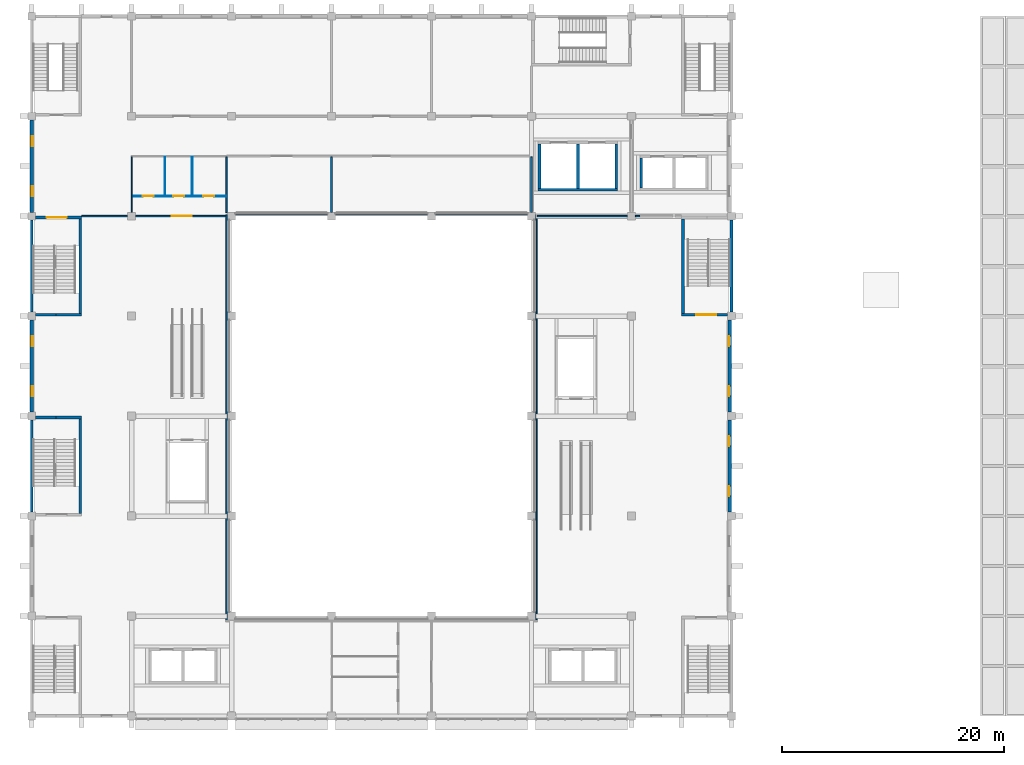
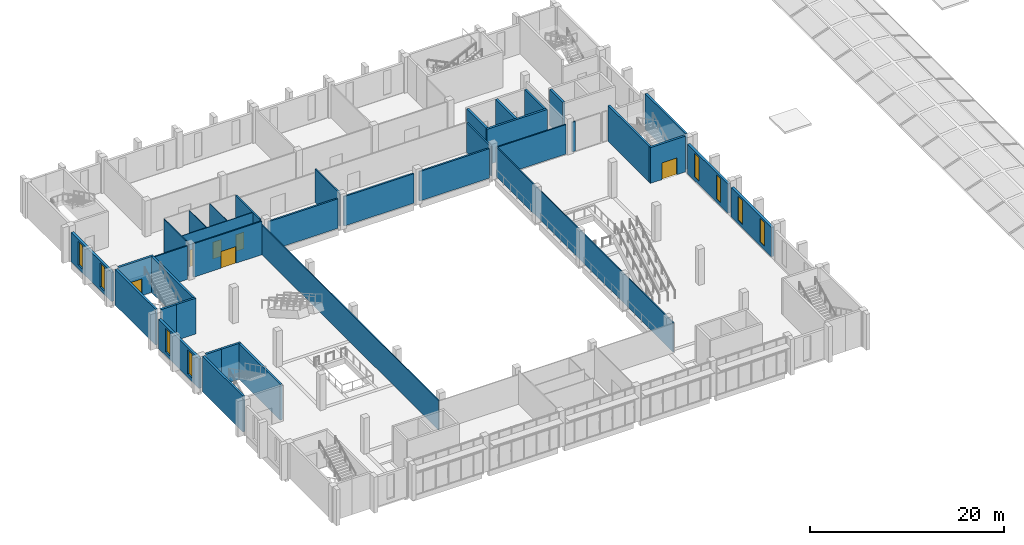
# One storey, part 28 of 45: 37 walls, 8 windows, 6 doors, 14 openings.
"""IFC4 building model written with IfcOpenShell, lengths in metres."""

import ifcopenshell
import ifcopenshell.guid

model = None  # the IFC model being written
_history = None  # IfcOwnerHistory: only IFC2X3 demands one
_inside = {}  # id of a spatial element -> (the spatial element, [elements in it])
_under = {}  # id of a project, library or spatial element -> (it, [spatial elements below it])
_declared = {}  # id of a project -> (the project, [libraries it declares])
_typed = {}  # id of a type object -> (the type object, [elements of that type])
_made_of = {}  # id of a material, layer set ... -> (it, [elements and type objects made of it])


def new_model(schema):
    """Start an empty IFC model of exactly this schema.

    Asked for "IFC4X3", IfcOpenShell would pick the latest addendum, in which some entities
    have other attributes; the version numbers below select the first issue.
    IFC2X3 requires an IfcOwnerHistory on every rooted entity: one is made here for all.
    """
    global model, _history
    if schema == "IFC4X3":
        model = ifcopenshell.file(schema_version=(4, 3, 0, 0))
    else:
        model = ifcopenshell.file(schema=schema)
    _inside.clear()
    _under.clear()
    _declared.clear()
    _typed.clear()
    _made_of.clear()
    _history = None
    if model.schema == "IFC2X3":
        org = make("IfcOrganization", Name="unknown")
        user = make(
            "IfcPersonAndOrganization",
            ThePerson=make("IfcPerson", FamilyName="unknown"),
            TheOrganization=org,
        )
        app = make(
            "IfcApplication",
            ApplicationDeveloper=org,
            Version="unknown",
            ApplicationFullName="unknown",
            ApplicationIdentifier="unknown",
        )
        _history = make(
            "IfcOwnerHistory",
            OwningUser=user,
            OwningApplication=app,
            ChangeAction="ADDED",
            CreationDate=0,
        )
    return model


def make(cls, **values):
    """One entity of the class cls with the attributes given. An attribute that is None is left unset."""
    return model.create_entity(
        cls, **{name: value for name, value in values.items() if value is not None}
    )


def rooted(cls, **values):
    """An entity with a GlobalId (a new one), such as an element, a storey or a relation."""
    return make(cls, GlobalId=ifcopenshell.guid.new(), OwnerHistory=_history, **values)


def si_unit(unit_type, name, prefix=None):
    """IfcSIUnit, for example si_unit("LENGTHUNIT", "METRE", prefix="MILLI")."""
    return make("IfcSIUnit", UnitType=unit_type, Prefix=prefix, Name=name)


def assignment(units):
    """IfcUnitAssignment: the units of a project."""
    return None if units is None else make("IfcUnitAssignment", Units=units)


def point(xyz):
    """IfcCartesianPoint."""
    return None if xyz is None else make("IfcCartesianPoint", Coordinates=xyz)


def direction(xyz):
    """IfcDirection."""
    return None if xyz is None else make("IfcDirection", DirectionRatios=xyz)


def frame(location, z_axis=None, x_axis=None):
    """IfcAxis2Placement3D, a coordinate frame: its origin and axes. An axis left out is left unset."""
    return make(
        "IfcAxis2Placement3D",
        Location=point(location),
        Axis=direction(z_axis),
        RefDirection=direction(x_axis),
    )


def frame_2d(location, x_axis=None):
    """IfcAxis2Placement2D, a coordinate frame in the plane: its origin and x axis."""
    return make(
        "IfcAxis2Placement2D", Location=point(location), RefDirection=direction(x_axis)
    )


def origin():
    """The frame at (0, 0, 0) with its axes left unset."""
    return frame((0.0, 0.0, 0.0))


def place(relative_to, where):
    """IfcLocalPlacement: puts the frame where relative to a parent placement (None: the world)."""
    return make(
        "IfcLocalPlacement", PlacementRelTo=relative_to, RelativePlacement=where
    )


def context(
    kind, dimensions, precision=None, world=None, true_north=None, identifier=None
):
    """IfcGeometricRepresentationContext, for example the 3D "Model" context."""
    return make(
        "IfcGeometricRepresentationContext",
        ContextIdentifier=identifier,
        ContextType=kind,
        CoordinateSpaceDimension=dimensions,
        Precision=precision,
        WorldCoordinateSystem=world,
        TrueNorth=true_north,
    )


def subcontext(parent, identifier, kind, view, scale=None):
    """IfcGeometricRepresentationSubContext, for example "Body" below "Model"."""
    return make(
        "IfcGeometricRepresentationSubContext",
        ContextIdentifier=identifier,
        ContextType=kind,
        ParentContext=parent,
        TargetScale=scale,
        TargetView=view,
    )


def project(units=None, contexts=None):
    """IfcProject with its units and contexts."""
    return rooted(
        "IfcProject",
        Name="project",
        RepresentationContexts=contexts,
        UnitsInContext=assignment(units),
    )


def spatial(cls, under=None, at=None, **own):
    """A site, building, storey or space (cls), placed at a placement, below another one or the project."""
    s = rooted(cls, ObjectPlacement=at, **own)
    if under is not None:
        _under.setdefault(under.id(), (under, []))[1].append(s)
    return s


def profile(cls, at=None, kind="AREA", **sizes):
    """A parametric profile (cls). Its sizes go by their IFC names, for example OverallWidth=200.0."""
    return make(cls, ProfileType=kind, Position=at, **sizes)


def rectangle(**sizes):
    """IfcRectangleProfileDef."""
    return profile("IfcRectangleProfileDef", **sizes)


def extrude(swept, where, along, depth):
    """IfcExtrudedAreaSolid: the profile swept, set in the frame where, extruded along a direction by depth."""
    return make(
        "IfcExtrudedAreaSolid",
        SweptArea=swept,
        Position=where,
        ExtrudedDirection=direction(along),
        Depth=depth,
    )


def shape(context_of_items, identifier, shape_type, items):
    """IfcShapeRepresentation: the items that make up one representation, for example the "Body"."""
    return make(
        "IfcShapeRepresentation",
        ContextOfItems=context_of_items,
        RepresentationIdentifier=identifier,
        RepresentationType=shape_type,
        Items=items,
    )


def material(Name=None, Category=None):
    """IfcMaterial."""
    return make("IfcMaterial", Name=Name, Category=Category)


def layer(
    of_material, thickness, ventilated=None, Name=None, Category=None, Priority=None
):
    """IfcMaterialLayer: one layer of a wall or slab, of a material (None: an air gap)."""
    return make(
        "IfcMaterialLayer",
        Material=of_material,
        LayerThickness=thickness,
        IsVentilated=ventilated,
        Name=Name,
        Category=Category,
        Priority=Priority,
    )


def layer_set(layers, Name=None):
    """IfcMaterialLayerSet."""
    return make("IfcMaterialLayerSet", MaterialLayers=layers, LayerSetName=Name)


def made_of(thing, what):
    """Note that an element or type object is made of a material, layer set ...; save() writes the relation."""
    if what is not None:
        _made_of.setdefault(what.id(), (what, []))[1].append(thing)
    return thing


def type_object(cls, material=None, **own):
    """A type object (cls), such as IfcWallType, which elements share."""
    return made_of(rooted(cls, **own), material)


def element(
    cls,
    number,
    at=None,
    inside=None,
    cuts=None,
    type_object=None,
    material=None,
    context=None,
    identifier="Body",
    shape_type=None,
    held_by="IfcProductDefinitionShape",
    body=None,
    shapes=None,
    **own,
):
    """One element of the class cls, such as IfcWall. Its Tag is "e" and its number.

    at: its placement. inside: the storey or other place that contains it. cuts: it is an
    opening in that element (IfcRelVoidsElement). A single representation is given by context,
    identifier, shape_type and body (its items); several are given by shapes. held_by: the class
    of the entity that holds the representations. save() writes the other relations.
    """
    e = rooted(cls, Tag="e%d" % number, ObjectPlacement=at, **own)
    if body is not None:
        shapes = [shape(context, identifier, shape_type, body)]
    if shapes is not None:
        e.Representation = make(held_by, Representations=shapes)
    if inside is not None:
        _inside.setdefault(inside.id(), (inside, []))[1].append(e)
    if cuts is not None:
        rooted(
            "IfcRelVoidsElement", RelatingBuildingElement=cuts, RelatedOpeningElement=e
        )
    if type_object is not None:
        _typed.setdefault(type_object.id(), (type_object, []))[1].append(e)
    return made_of(e, material)


def fill(opening, filler):
    """IfcRelFillsElement: the door or window that sits in an opening."""
    return rooted(
        "IfcRelFillsElement",
        RelatingOpeningElement=opening,
        RelatedBuildingElement=filler,
    )


def aggregate(whole, parts):
    """IfcRelAggregates: a whole, such as a stair, and the parts it consists of."""
    return rooted("IfcRelAggregates", RelatingObject=whole, RelatedObjects=parts)


def save(model, path):
    """Write the relations noted so far, then the file.

    IfcRelAggregates (storeys below a building ...), IfcRelContainedInSpatialStructure (elements
    in a storey), IfcRelDefinesByType, IfcRelAssociatesMaterial and IfcRelDeclares: one each for
    every whole, place, type object, material and project.
    """
    for whole, parts in _under.values():
        aggregate(whole, parts)
    for where, things in _inside.values():
        rooted(
            "IfcRelContainedInSpatialStructure",
            RelatedElements=things,
            RelatingStructure=where,
        )
    for kind, things in _typed.values():
        rooted("IfcRelDefinesByType", RelatedObjects=things, RelatingType=kind)
    for what, things in _made_of.values():
        rooted("IfcRelAssociatesMaterial", RelatedObjects=things, RelatingMaterial=what)
    for by, libraries in _declared.values():
        rooted("IfcRelDeclares", RelatingContext=by, RelatedDefinitions=libraries)
    model.write(path)


model = new_model("IFC4")

# Units and contexts
model_context = context("Model", 3, precision=1e-05, world=origin(), true_north=direction((0.0, 1.0)))
body_context = subcontext(model_context, "Body", "Model", "MODEL_VIEW")
ifc_project = project(units=[si_unit("LENGTHUNIT", "METRE"), si_unit("AREAUNIT", "SQUARE_METRE"), si_unit("VOLUMEUNIT", "CUBIC_METRE"), si_unit("PLANEANGLEUNIT", "RADIAN"), si_unit("MASSUNIT", "GRAM", prefix="KILO")], contexts=[model_context])

# Site, building, storey
site_placement = place(None, origin())
site = spatial("IfcSite", under=ifc_project, at=site_placement, CompositionType="ELEMENT")
building_placement = place(site_placement, origin())
building = spatial("IfcBuilding", under=site, at=building_placement, Name="Guidao Yard Department Store", CompositionType="ELEMENT")
storey_placement = place(building_placement, frame((0.0, 0.0, 19.5)))
storey = spatial("IfcBuildingStorey", under=building, at=storey_placement, Name="L04", CompositionType="ELEMENT", Elevation=19.5)

# Wall, openings, doors
ifc_material_1 = material(Name="Moisture-resistant board on Steel Q235 studs", Category="steel")
ifc_layer_1 = layer(ifc_material_1, 0.080078125)
ifc_layer_set_1 = layer_set([ifc_layer_1], Name="Cubicle and Duct Partition P8 80 mm moisture-resistant board")
wall_type_1 = type_object("IfcWallType", Name="Cubicle and Duct Partition P8 80 mm moisture-resistant board", PredefinedType="PARTITIONING", material=ifc_layer_set_1)
wall_1_placement = place(storey_placement, frame((9.050048828125, 91.800048828125, 0.0), z_axis=(0.0, 0.0, 1.0), x_axis=(1.0, 0.0, 0.0)))
wall_1 = element("IfcWall", 1, at=wall_1_placement, inside=storey, type_object=wall_type_1, Name="Wall W-HL04-023", PredefinedType="PARTITIONING", context=body_context, shape_type="SweptSolid", body=[
    extrude(rectangle(XDim=8.425048828125, YDim=0.080078125, at=frame_2d((4.21240234375, 0.0))), origin(), (0.0, 0.0, 1.0), 4.199951171875),
])
opening_1_placement = place(wall_1_placement, frame((0.949951171875, 0.0, 0.0)))
opening_1 = element("IfcOpeningElement", 2, at=opening_1_placement, cuts=wall_1, Name="Opening HL04-006", PredefinedType="OPENING", context=body_context, shape_type="SweptSolid", body=[
    extrude(rectangle(XDim=1.0, YDim=2.10009765625, at=frame_2d((0.5, 1.050048828125))), frame((0.0, 0.050048828125, 0.0), z_axis=(0.0, -1.0, 0.0), x_axis=(1.0, 0.0, 0.0)), (0.0, 0.0, 1.0), 0.10009765625),
])
opening_2_placement = place(wall_1_placement, frame((3.675048828125, 0.0, 0.0)))
opening_2 = element("IfcOpeningElement", 3, at=opening_2_placement, cuts=wall_1, Name="Opening HL04-007", PredefinedType="OPENING", context=body_context, shape_type="SweptSolid", body=[
    extrude(rectangle(XDim=1.0, YDim=2.10009765625, at=frame_2d((0.5, 1.050048828125))), frame((0.0, 0.050048828125, 0.0), z_axis=(0.0, -1.0, 0.0), x_axis=(1.0, 0.0, 0.0)), (0.0, 0.0, 1.0), 0.10009765625),
])
opening_3_placement = place(wall_1_placement, frame((6.39990234375, 0.0, 0.0)))
opening_3 = element("IfcOpeningElement", 4, at=opening_3_placement, cuts=wall_1, Name="Opening HL04-008", PredefinedType="OPENING", context=body_context, shape_type="SweptSolid", body=[
    extrude(rectangle(XDim=1.0, YDim=2.10009765625, at=frame_2d((0.5, 1.050048828125))), frame((0.0, 0.050048828125, 0.0), z_axis=(0.0, -1.0, 0.0), x_axis=(1.0, 0.0, 0.0)), (0.0, 0.0, 1.0), 0.10009765625),
])
ifc_material_2 = material(Name="Timber door leaf", Category="wood")
door_type_1 = type_object("IfcDoorType", Name="Door AD10 accessible WC 1000 x 2100", OperationType="SINGLE_SWING_LEFT", PredefinedType="DOOR", material=ifc_material_2)
door_1_placement = place(opening_2_placement, origin())
door_1 = element("IfcDoor", 5, at=door_1_placement, inside=storey, type_object=door_type_1, Name="Door HL04-007", OperationType="SINGLE_SWING_LEFT", OverallHeight=2.10009765625, OverallWidth=1.0, PredefinedType="DOOR", context=body_context, shape_type="SweptSolid", body=[
    extrude(rectangle(XDim=1.0, YDim=2.10009765625, at=frame_2d((0.5, 1.050048828125))), frame((0.0, 0.02490234375, 0.0), z_axis=(0.0, -1.0, 0.0), x_axis=(1.0, 0.0, 0.0)), (0.0, 0.0, 1.0), 0.050048828125),
])
fill(opening_2, door_1)
ifc_material_3 = material(Name="Timber door leaf", Category="wood")
door_type_2 = type_object("IfcDoorType", Name="Door D2 1000 x 2100", OperationType="SINGLE_SWING_LEFT", PredefinedType="DOOR", material=ifc_material_3)
door_2_placement = place(opening_1_placement, origin())
door_2 = element("IfcDoor", 6, at=door_2_placement, inside=storey, type_object=door_type_2, Name="Door HL04-006", OperationType="SINGLE_SWING_LEFT", OverallHeight=2.10009765625, OverallWidth=1.0, PredefinedType="DOOR", context=body_context, shape_type="SweptSolid", body=[
    extrude(rectangle(XDim=1.0, YDim=2.10009765625, at=frame_2d((0.5, 1.050048828125))), frame((0.0, 0.02490234375, 0.0), z_axis=(0.0, -1.0, 0.0), x_axis=(1.0, 0.0, 0.0)), (0.0, 0.0, 1.0), 0.050048828125),
])
fill(opening_1, door_2)
door_3_placement = place(opening_3_placement, origin())
door_3 = element("IfcDoor", 7, at=door_3_placement, inside=storey, type_object=door_type_2, Name="Door HL04-008", OperationType="SINGLE_SWING_RIGHT", OverallHeight=2.10009765625, OverallWidth=1.0, PredefinedType="DOOR", context=body_context, shape_type="SweptSolid", body=[
    extrude(rectangle(XDim=1.0, YDim=2.10009765625, at=frame_2d((0.5, 1.050048828125))), frame((0.0, 0.02490234375, 0.0), z_axis=(0.0, -1.0, 0.0), x_axis=(1.0, 0.0, 0.0)), (0.0, 0.0, 1.0), 0.050048828125),
])
fill(opening_3, door_3)

# Walls
for number, where, z_axis, x_axis, name in (
    (8, (12.0, 91.840087890625, 0.0), (0.0, 0.0, 1.0), (0.0, 1.0, 0.0), "Wall W-HL04-024"),
    (9, (14.449951171875, 91.840087890625, 0.0), (0.0, 0.0, 1.0), (0.0, 1.0, 0.0), "Wall W-HL04-025"),
):
    element("IfcWall", number, at=place(storey_placement, frame(where, z_axis=z_axis, x_axis=x_axis)), inside=storey, type_object=wall_type_1, Name=name, PredefinedType="PARTITIONING", context=body_context, shape_type="SweptSolid", body=[
        extrude(rectangle(XDim=3.510009765625, YDim=0.080078125, at=frame_2d((1.7548828125, 0.0))), origin(), (0.0, 0.0, 1.0), 4.199951171875),
    ])
ifc_material_4 = material(Name="Concrete block MU10", Category="concrete")
ifc_layer_2 = layer(ifc_material_4, 0.199951171875)
ifc_layer_set_2 = layer_set([ifc_layer_2], Name="Fire Wall P3 200 mm blockwork EI 120")
wall_type_2 = type_object("IfcWallType", Name="Fire Wall P3 200 mm blockwork EI 120", PredefinedType="PARTITIONING", material=ifc_layer_set_2)
for number, where, z_axis, x_axis, name in (
    (10, (18.35009765625, 90.22509765625, 0.0), (0.0, 0.0, 1.0), (1.0, 0.0, 0.0), "Wall W-HL04-015"),
    (11, (27.35009765625, 90.22509765625, 0.0), (0.0, 0.0, 1.0), (1.0, 0.0, 0.0), "Wall W-HL04-016"),
    (12, (36.35009765625, 90.22509765625, 0.0), (0.0, 0.0, 1.0), (1.0, 0.0, 0.0), "Wall W-HL04-017"),
):
    element("IfcWall", number, at=place(storey_placement, frame(where, z_axis=z_axis, x_axis=x_axis)), inside=storey, type_object=wall_type_2, Name=name, PredefinedType="PARTITIONING", context=body_context, shape_type="SweptSolid", body=[
        extrude(rectangle(XDim=8.2998046875, YDim=0.199951171875, at=frame_2d((4.14990234375, 0.0))), origin(), (0.0, 0.0, 1.0), 3.699951171875),
    ])
ifc_material_5 = material(Name="Fire-rated glazing in Steel Q235 frame", Category="steel")
ifc_layer_3 = layer(ifc_material_5, 0.1201171875)
ifc_layer_set_3 = layer_set([ifc_layer_3], Name="Fire-Glazed Screen P5 120 mm EI 60")
wall_type_3 = type_object("IfcWallType", Name="Fire-Glazed Screen P5 120 mm EI 60", PredefinedType="PARTITIONING", material=ifc_layer_set_3)
for number, where, z_axis, x_axis, name in (
    (13, (17.550048828125, 53.610107421875, 0.0), (0.0, 0.0, 1.0), (0.0, 1.0, 0.0), "Wall W-HL04-007"),
    (14, (45.449951171875, 53.610107421875, 0.0), (0.0, 0.0, 1.0), (0.0, 1.0, 0.0), "Wall W-HL04-008"),
):
    element("IfcWall", number, at=place(storey_placement, frame(where, z_axis=z_axis, x_axis=x_axis)), inside=storey, type_object=wall_type_3, Name=name, PredefinedType="PARTITIONING", context=body_context, shape_type="SweptSolid", body=[
        extrude(rectangle(XDim=36.514892578125, YDim=0.1201171875, at=frame_2d((18.25732421875, 0.0))), origin(), (0.0, 0.0, 1.0), 3.699951171875),
    ])

# Wall, openings, windows
ifc_material_6 = material(Name="Concrete C35", Category="concrete")
ifc_layer_4 = layer(ifc_material_6, 0.300048828125)
ifc_layer_set_4 = layer_set([ifc_layer_4], Name="Hall facade wall 300 C35")
wall_type_4 = type_object("IfcWallType", Name="Hall facade wall 300 C35", PredefinedType="SOLIDWALL", material=ifc_layer_set_4)
wall_2_placement = place(storey_placement, frame((0.0, 72.35009765625, 0.0), z_axis=(0.0, 0.0, 1.0), x_axis=(0.0, 1.0, 0.0)))
wall_2 = element("IfcWall", 15, at=wall_2_placement, inside=storey, type_object=wall_type_4, Name="Hall facade wall", PredefinedType="SOLIDWALL", context=body_context, shape_type="SweptSolid", body=[
    extrude(rectangle(XDim=8.2998046875, YDim=0.300048828125, at=frame_2d((4.14990234375, 0.0))), origin(), (0.0, 0.0, 1.0), 3.699951171875),
])
opening_4_placement = place(wall_2_placement, frame((1.449951171875, 0.0, 0.449951171875)))
opening_4 = element("IfcOpeningElement", 16, at=opening_4_placement, cuts=wall_2, Name="Opening WN-L04-E05", PredefinedType="OPENING", context=body_context, shape_type="SweptSolid", body=[
    extrude(rectangle(XDim=0.89990234375, YDim=3.0, at=frame_2d((0.449951171875, 1.5))), frame((0.0, 0.159912109375, 0.0), z_axis=(0.0, -1.0, 0.0), x_axis=(1.0, 0.0, 0.0)), (0.0, 0.0, 1.0), 0.320068359375),
])
opening_5_placement = place(wall_2_placement, frame((5.949951171875, 0.0, 0.449951171875)))
opening_5 = element("IfcOpeningElement", 17, at=opening_5_placement, cuts=wall_2, Name="Opening WN-L04-E06", PredefinedType="OPENING", context=body_context, shape_type="SweptSolid", body=[
    extrude(rectangle(XDim=0.89990234375, YDim=3.0, at=frame_2d((0.449951171875, 1.5))), frame((0.0, 0.159912109375, 0.0), z_axis=(0.0, -1.0, 0.0), x_axis=(1.0, 0.0, 0.0)), (0.0, 0.0, 1.0), 0.320068359375),
])
ifc_material_7 = material(Name="Laminated glass in aluminium frame", Category="aluminium")
window_type = type_object("IfcWindowType", Name="Slot window SL1 900 x 3000 fixed", PartitioningType="SINGLE_PANEL", PredefinedType="WINDOW", material=ifc_material_7)
window_1_placement = place(opening_4_placement, origin())
window_1 = element("IfcWindow", 18, at=window_1_placement, inside=storey, type_object=window_type, Name="Slot window", OverallHeight=3.0, OverallWidth=0.89990234375, PartitioningType="SINGLE_PANEL", PredefinedType="WINDOW", context=body_context, shape_type="SweptSolid", body=[
    extrude(rectangle(XDim=0.89990234375, YDim=3.0, at=frame_2d((0.449951171875, 1.5))), frame((0.0, -0.030029296875, 0.0), z_axis=(0.0, -1.0, 0.0), x_axis=(1.0, 0.0, 0.0)), (0.0, 0.0, 1.0), 0.06005859375),
])
fill(opening_4, window_1)
window_2_placement = place(opening_5_placement, origin())
window_2 = element("IfcWindow", 19, at=window_2_placement, inside=storey, type_object=window_type, Name="Slot window", OverallHeight=3.0, OverallWidth=0.89990234375, PartitioningType="SINGLE_PANEL", PredefinedType="WINDOW", context=body_context, shape_type="SweptSolid", body=[
    extrude(rectangle(XDim=0.89990234375, YDim=3.0, at=frame_2d((0.449951171875, 1.5))), frame((0.0, -0.030029296875, 0.0), z_axis=(0.0, -1.0, 0.0), x_axis=(1.0, 0.0, 0.0)), (0.0, 0.0, 1.0), 0.06005859375),
])
fill(opening_5, window_2)

wall_3_placement = place(storey_placement, frame((0.0, 90.35009765625, 0.0), z_axis=(0.0, 0.0, 1.0), x_axis=(0.0, 1.0, 0.0)))
wall_3 = element("IfcWall", 20, at=wall_3_placement, inside=storey, type_object=wall_type_4, Name="Hall facade wall", PredefinedType="SOLIDWALL", context=body_context, shape_type="SweptSolid", body=[
    extrude(rectangle(XDim=8.2998046875, YDim=0.300048828125, at=frame_2d((4.14990234375, 0.0))), origin(), (0.0, 0.0, 1.0), 3.699951171875),
])
opening_6_placement = place(wall_3_placement, frame((1.449951171875, 0.0, 0.449951171875)))
opening_6 = element("IfcOpeningElement", 21, at=opening_6_placement, cuts=wall_3, Name="Opening WN-L04-E07", PredefinedType="OPENING", context=body_context, shape_type="SweptSolid", body=[
    extrude(rectangle(XDim=0.89990234375, YDim=3.0, at=frame_2d((0.449951171875, 1.5))), frame((0.0, 0.159912109375, 0.0), z_axis=(0.0, -1.0, 0.0), x_axis=(1.0, 0.0, 0.0)), (0.0, 0.0, 1.0), 0.320068359375),
])
opening_7_placement = place(wall_3_placement, frame((5.949951171875, 0.0, 0.449951171875)))
opening_7 = element("IfcOpeningElement", 22, at=opening_7_placement, cuts=wall_3, Name="Opening WN-L04-E08", PredefinedType="OPENING", context=body_context, shape_type="SweptSolid", body=[
    extrude(rectangle(XDim=0.89990234375, YDim=3.0, at=frame_2d((0.449951171875, 1.5))), frame((0.0, 0.159912109375, 0.0), z_axis=(0.0, -1.0, 0.0), x_axis=(1.0, 0.0, 0.0)), (0.0, 0.0, 1.0), 0.320068359375),
])
window_3_placement = place(opening_6_placement, origin())
window_3 = element("IfcWindow", 23, at=window_3_placement, inside=storey, type_object=window_type, Name="Slot window", OverallHeight=3.0, OverallWidth=0.89990234375, PartitioningType="SINGLE_PANEL", PredefinedType="WINDOW", context=body_context, shape_type="SweptSolid", body=[
    extrude(rectangle(XDim=0.89990234375, YDim=3.0, at=frame_2d((0.449951171875, 1.5))), frame((0.0, -0.030029296875, 0.0), z_axis=(0.0, -1.0, 0.0), x_axis=(1.0, 0.0, 0.0)), (0.0, 0.0, 1.0), 0.06005859375),
])
fill(opening_6, window_3)
window_4_placement = place(opening_7_placement, origin())
window_4 = element("IfcWindow", 24, at=window_4_placement, inside=storey, type_object=window_type, Name="Slot window", OverallHeight=3.0, OverallWidth=0.89990234375, PartitioningType="SINGLE_PANEL", PredefinedType="WINDOW", context=body_context, shape_type="SweptSolid", body=[
    extrude(rectangle(XDim=0.89990234375, YDim=3.0, at=frame_2d((0.449951171875, 1.5))), frame((0.0, -0.030029296875, 0.0), z_axis=(0.0, -1.0, 0.0), x_axis=(1.0, 0.0, 0.0)), (0.0, 0.0, 1.0), 0.06005859375),
])
fill(opening_7, window_4)

wall_4_placement = place(storey_placement, frame((62.85009765625, 71.64990234375, 0.0), z_axis=(0.0, 0.0, 1.0), x_axis=(0.0, -1.0, 0.0)))
wall_4 = element("IfcWall", 25, at=wall_4_placement, inside=storey, type_object=wall_type_4, Name="Hall facade wall", PredefinedType="SOLIDWALL", context=body_context, shape_type="SweptSolid", body=[
    extrude(rectangle(XDim=8.2998046875, YDim=0.300048828125, at=frame_2d((4.14990234375, 0.0))), origin(), (0.0, 0.0, 1.0), 3.699951171875),
])
opening_8_placement = place(wall_4_placement, frame((5.949951171875, 0.0, 0.449951171875)))
opening_8 = element("IfcOpeningElement", 26, at=opening_8_placement, cuts=wall_4, Name="Opening WN-L04-E21", PredefinedType="OPENING", context=body_context, shape_type="SweptSolid", body=[
    extrude(rectangle(XDim=0.89990234375, YDim=3.0, at=frame_2d((0.449951171875, 1.5))), frame((0.0, 0.159912109375, 0.0), z_axis=(0.0, -1.0, 0.0), x_axis=(1.0, 0.0, 0.0)), (0.0, 0.0, 1.0), 0.320068359375),
])
opening_9_placement = place(wall_4_placement, frame((1.449951171875, 0.0, 0.449951171875)))
opening_9 = element("IfcOpeningElement", 27, at=opening_9_placement, cuts=wall_4, Name="Opening WN-L04-E22", PredefinedType="OPENING", context=body_context, shape_type="SweptSolid", body=[
    extrude(rectangle(XDim=0.89990234375, YDim=3.0, at=frame_2d((0.449951171875, 1.5))), frame((0.0, 0.159912109375, 0.0), z_axis=(0.0, -1.0, 0.0), x_axis=(1.0, 0.0, 0.0)), (0.0, 0.0, 1.0), 0.320068359375),
])
window_5_placement = place(opening_8_placement, origin())
window_5 = element("IfcWindow", 28, at=window_5_placement, inside=storey, type_object=window_type, Name="Slot window", OverallHeight=3.0, OverallWidth=0.89990234375, PartitioningType="SINGLE_PANEL", PredefinedType="WINDOW", context=body_context, shape_type="SweptSolid", body=[
    extrude(rectangle(XDim=0.89990234375, YDim=3.0, at=frame_2d((0.449951171875, 1.5))), frame((0.0, -0.030029296875, 0.0), z_axis=(0.0, -1.0, 0.0), x_axis=(1.0, 0.0, 0.0)), (0.0, 0.0, 1.0), 0.06005859375),
])
fill(opening_8, window_5)
window_6_placement = place(opening_9_placement, origin())
window_6 = element("IfcWindow", 29, at=window_6_placement, inside=storey, type_object=window_type, Name="Slot window", OverallHeight=3.0, OverallWidth=0.89990234375, PartitioningType="SINGLE_PANEL", PredefinedType="WINDOW", context=body_context, shape_type="SweptSolid", body=[
    extrude(rectangle(XDim=0.89990234375, YDim=3.0, at=frame_2d((0.449951171875, 1.5))), frame((0.0, -0.030029296875, 0.0), z_axis=(0.0, -1.0, 0.0), x_axis=(1.0, 0.0, 0.0)), (0.0, 0.0, 1.0), 0.06005859375),
])
fill(opening_9, window_6)

wall_5_placement = place(storey_placement, frame((62.85009765625, 80.64990234375, 0.0), z_axis=(0.0, 0.0, 1.0), x_axis=(0.0, -1.0, 0.0)))
wall_5 = element("IfcWall", 30, at=wall_5_placement, inside=storey, type_object=wall_type_4, Name="Hall facade wall", PredefinedType="SOLIDWALL", context=body_context, shape_type="SweptSolid", body=[
    extrude(rectangle(XDim=8.2998046875, YDim=0.300048828125, at=frame_2d((4.14990234375, 0.0))), origin(), (0.0, 0.0, 1.0), 3.699951171875),
])
opening_10_placement = place(wall_5_placement, frame((5.949951171875, 0.0, 0.449951171875)))
opening_10 = element("IfcOpeningElement", 31, at=opening_10_placement, cuts=wall_5, Name="Opening WN-L04-E23", PredefinedType="OPENING", context=body_context, shape_type="SweptSolid", body=[
    extrude(rectangle(XDim=0.89990234375, YDim=3.0, at=frame_2d((0.449951171875, 1.5))), frame((0.0, 0.159912109375, 0.0), z_axis=(0.0, -1.0, 0.0), x_axis=(1.0, 0.0, 0.0)), (0.0, 0.0, 1.0), 0.320068359375),
])
opening_11_placement = place(wall_5_placement, frame((1.449951171875, 0.0, 0.449951171875)))
opening_11 = element("IfcOpeningElement", 32, at=opening_11_placement, cuts=wall_5, Name="Opening WN-L04-E24", PredefinedType="OPENING", context=body_context, shape_type="SweptSolid", body=[
    extrude(rectangle(XDim=0.89990234375, YDim=3.0, at=frame_2d((0.449951171875, 1.5))), frame((0.0, 0.159912109375, 0.0), z_axis=(0.0, -1.0, 0.0), x_axis=(1.0, 0.0, 0.0)), (0.0, 0.0, 1.0), 0.320068359375),
])
window_7_placement = place(opening_10_placement, origin())
window_7 = element("IfcWindow", 33, at=window_7_placement, inside=storey, type_object=window_type, Name="Slot window", OverallHeight=3.0, OverallWidth=0.89990234375, PartitioningType="SINGLE_PANEL", PredefinedType="WINDOW", context=body_context, shape_type="SweptSolid", body=[
    extrude(rectangle(XDim=0.89990234375, YDim=3.0, at=frame_2d((0.449951171875, 1.5))), frame((0.0, -0.030029296875, 0.0), z_axis=(0.0, -1.0, 0.0), x_axis=(1.0, 0.0, 0.0)), (0.0, 0.0, 1.0), 0.06005859375),
])
fill(opening_10, window_7)
window_8_placement = place(opening_11_placement, origin())
window_8 = element("IfcWindow", 34, at=window_8_placement, inside=storey, type_object=window_type, Name="Slot window", OverallHeight=3.0, OverallWidth=0.89990234375, PartitioningType="SINGLE_PANEL", PredefinedType="WINDOW", context=body_context, shape_type="SweptSolid", body=[
    extrude(rectangle(XDim=0.89990234375, YDim=3.0, at=frame_2d((0.449951171875, 1.5))), frame((0.0, -0.030029296875, 0.0), z_axis=(0.0, -1.0, 0.0), x_axis=(1.0, 0.0, 0.0)), (0.0, 0.0, 1.0), 0.06005859375),
])
fill(opening_11, window_8)

# Walls
ifc_material_8 = material(Name="Gypsum board on Steel Q235 studs", Category="steel")
ifc_layer_5 = layer(ifc_material_8, 0.10009765625)
ifc_layer_set_5 = layer_set([ifc_layer_5], Name="Partition P1 100 mm gypsum board EI 30")
wall_type_5 = type_object("IfcWallType", Name="Partition P1 100 mm gypsum board EI 30", PredefinedType="PARTITIONING", material=ifc_layer_set_5)
wall_6_placement = place(storey_placement, frame((9.0, 90.35009765625, 0.0), z_axis=(0.0, 0.0, 1.0), x_axis=(0.0, 1.0, 0.0)))
element("IfcWall", 35, at=wall_6_placement, inside=storey, type_object=wall_type_5, Name="Wall W-HL04-019", PredefinedType="PARTITIONING", context=body_context, shape_type="SweptSolid", body=[
    extrude(rectangle(XDim=5.0, YDim=0.10009765625, at=frame_2d((2.5, 0.0))), origin(), (0.0, 0.0, 1.0), 4.199951171875),
])
ifc_material_9 = material(Name="Concrete block MU10", Category="concrete")
ifc_layer_6 = layer(ifc_material_9, 0.14990234375)
ifc_layer_set_6 = layer_set([ifc_layer_6], Name="Wall P2 150 mm blockwork EI 60")
wall_type_6 = type_object("IfcWallType", Name="Wall P2 150 mm blockwork EI 60", PredefinedType="PARTITIONING", material=ifc_layer_set_6)
wall_7_placement = place(storey_placement, frame((4.5, 90.0, 0.0), z_axis=(0.0, 0.0, 1.0), x_axis=(1.0, 0.0, 0.0)))
element("IfcWall", 36, at=wall_7_placement, inside=storey, type_object=wall_type_6, Name="Wall W-HL04-009", PredefinedType="PARTITIONING", context=body_context, shape_type="SweptSolid", body=[
    extrude(rectangle(XDim=4.14990234375, YDim=0.14990234375, at=frame_2d((2.074951171875, 0.0))), origin(), (0.0, 0.0, 1.0), 4.199951171875),
])

# Wall, opening, door
wall_8_placement = place(storey_placement, frame((9.35009765625, 90.0, 0.0), z_axis=(0.0, 0.0, 1.0), x_axis=(1.0, 0.0, 0.0)))
wall_8 = element("IfcWall", 37, at=wall_8_placement, inside=storey, type_object=wall_type_6, Name="Wall W-HL04-010", PredefinedType="PARTITIONING", context=body_context, shape_type="SweptSolid", body=[
    extrude(rectangle(XDim=8.139892578125, YDim=0.14990234375, at=frame_2d((4.06982421875, 0.0))), origin(), (0.0, 0.0, 1.0), 4.199951171875),
])
opening_12_placement = place(wall_8_placement, frame((5.050048828125, 0.0, 0.0), z_axis=(0.0, 0.0, 1.0), x_axis=(-1.0, 0.0, 0.0)))
opening_12 = element("IfcOpeningElement", 38, at=opening_12_placement, cuts=wall_8, Name="Opening HL04-005", PredefinedType="OPENING", context=body_context, shape_type="SweptSolid", body=[
    extrude(rectangle(XDim=1.800048828125, YDim=2.10009765625, at=frame_2d((0.89990234375, 1.050048828125))), frame((0.0, 0.0849609375, 0.0), z_axis=(0.0, -1.0, 0.0), x_axis=(1.0, 0.0, 0.0)), (0.0, 0.0, 1.0), 0.169921875),
])
ifc_material_10 = material(Name="Timber door leaf", Category="wood")
door_type_3 = type_object("IfcDoorType", Name="Door D3 double 1800 x 2100", OperationType="DOUBLE_DOOR_SINGLE_SWING", PredefinedType="DOOR", material=ifc_material_10)
door_4_placement = place(opening_12_placement, origin())
door_4 = element("IfcDoor", 39, at=door_4_placement, inside=storey, type_object=door_type_3, Name="Door HL04-005", OperationType="DOUBLE_DOOR_SINGLE_SWING", OverallHeight=2.10009765625, OverallWidth=1.800048828125, PredefinedType="DOOR", context=body_context, shape_type="SweptSolid", body=[
    extrude(rectangle(XDim=1.800048828125, YDim=2.10009765625, at=frame_2d((0.89990234375, 1.050048828125))), frame((0.0, 0.02490234375, 0.0), z_axis=(0.0, -1.0, 0.0), x_axis=(1.0, 0.0, 0.0)), (0.0, 0.0, 1.0), 0.050048828125),
])
fill(opening_12, door_4)

# Walls
wall_9_placement = place(storey_placement, frame((45.510009765625, 90.0, 0.0), z_axis=(0.0, 0.0, 1.0), x_axis=(1.0, 0.0, 0.0)))
element("IfcWall", 40, at=wall_9_placement, inside=storey, type_object=wall_type_6, Name="Wall W-HL04-011", PredefinedType="PARTITIONING", context=body_context, shape_type="SweptSolid", body=[
    extrude(rectangle(XDim=8.139892578125, YDim=0.14990234375, at=frame_2d((4.06982421875, 0.0))), origin(), (0.0, 0.0, 1.0), 3.699951171875),
])
wall_10_placement = place(storey_placement, frame((54.35009765625, 90.0, 0.0), z_axis=(0.0, 0.0, 1.0), x_axis=(1.0, 0.0, 0.0)))
element("IfcWall", 41, at=wall_10_placement, inside=storey, type_object=wall_type_6, Name="Wall W-HL04-012", PredefinedType="PARTITIONING", context=body_context, shape_type="SweptSolid", body=[
    extrude(rectangle(XDim=0.39990234375, YDim=0.14990234375, at=frame_2d((0.199951171875, 0.0))), origin(), (0.0, 0.0, 1.0), 3.699951171875),
])
wall_11_placement = place(storey_placement, frame((17.550048828125, 90.324951171875, 0.0), z_axis=(0.0, 0.0, 1.0), x_axis=(0.0, 1.0, 0.0)))
element("IfcWall", 42, at=wall_11_placement, inside=storey, type_object=wall_type_6, Name="Wall W-HL04-018", PredefinedType="PARTITIONING", context=body_context, shape_type="SweptSolid", body=[
    extrude(rectangle(XDim=5.0, YDim=0.14990234375, at=frame_2d((2.5, 0.0))), origin(), (0.0, 0.0, 1.0), 4.199951171875),
])
wall_12_placement = place(storey_placement, frame((27.0, 90.35009765625, 0.0), z_axis=(0.0, 0.0, 1.0), x_axis=(0.0, 1.0, 0.0)))
element("IfcWall", 43, at=wall_12_placement, inside=storey, type_object=wall_type_6, Name="Wall W-HL04-020", PredefinedType="PARTITIONING", context=body_context, shape_type="SweptSolid", body=[
    extrude(rectangle(XDim=4.974853515625, YDim=0.14990234375, at=frame_2d((2.4873046875, 0.0))), origin(), (0.0, 0.0, 1.0), 4.199951171875),
])
wall_13_placement = place(storey_placement, frame((45.0, 90.35009765625, 0.0), z_axis=(0.0, 0.0, 1.0), x_axis=(0.0, 1.0, 0.0)))
element("IfcWall", 44, at=wall_13_placement, inside=storey, type_object=wall_type_6, Name="Wall W-HL04-021", PredefinedType="PARTITIONING", context=body_context, shape_type="SweptSolid", body=[
    extrude(rectangle(XDim=4.974853515625, YDim=0.14990234375, at=frame_2d((2.4873046875, 0.0))), origin(), (0.0, 0.0, 1.0), 3.699951171875),
])
ifc_material_11 = material(Name="Concrete C40", Category="concrete")
ifc_layer_7 = layer(ifc_material_11, 0.25)
ifc_layer_set_7 = layer_set([ifc_layer_7], Name="Wall RC 250 C40 stair and shaft")
wall_type_7 = type_object("IfcWallType", Name="Wall RC 250 C40 stair and shaft", PredefinedType="SHEAR", material=ifc_layer_set_7)
wall_14_placement = place(storey_placement, frame((0.35009765625, 71.875, 0.0), z_axis=(0.0, 0.0, 1.0), x_axis=(1.0, 0.0, 0.0)))
element("IfcWall", 45, at=wall_14_placement, inside=storey, type_object=wall_type_7, Name="Stair wall SA1", PredefinedType="SHEAR", context=body_context, shape_type="SweptSolid", body=[
    extrude(rectangle(XDim=1.837890625, YDim=0.25, at=frame_2d((0.9189453125, 0.0))), origin(), (0.0, 0.0, 1.0), 4.5),
])
wall_15_placement = place(storey_placement, frame((2.18798828125, 71.875, 0.0), z_axis=(0.0, 0.0, 1.0), x_axis=(1.0, 0.0, 0.0)))
element("IfcWall", 46, at=wall_15_placement, inside=storey, type_object=wall_type_7, Name="Stair wall SA1", PredefinedType="SHEAR", context=body_context, shape_type="SweptSolid", body=[
    extrude(rectangle(XDim=2.31201171875, YDim=0.25, at=frame_2d((1.156005859375, 0.0))), origin(), (0.0, 0.0, 1.0), 4.5),
])
wall_16_placement = place(storey_placement, frame((0.0, 63.35009765625, 0.0), z_axis=(0.0, 0.0, 1.0), x_axis=(0.0, 1.0, 0.0)))
element("IfcWall", 47, at=wall_16_placement, inside=storey, type_object=wall_type_7, Name="Stair wall SA1", PredefinedType="SHEAR", context=body_context, shape_type="SweptSolid", body=[
    extrude(rectangle(XDim=8.2998046875, YDim=0.25, at=frame_2d((4.14990234375, 0.0))), origin(), (0.0, 0.0, 1.0), 4.5),
])
wall_17_placement = place(storey_placement, frame((4.375, 63.25, 0.0), z_axis=(0.0, 0.0, 1.0), x_axis=(0.0, 1.0, 0.0)))
element("IfcWall", 48, at=wall_17_placement, inside=storey, type_object=wall_type_7, Name="Stair wall SA1", PredefinedType="SHEAR", context=body_context, shape_type="SweptSolid", body=[
    extrude(rectangle(XDim=8.5, YDim=0.25, at=frame_2d((4.25, 0.0))), origin(), (0.0, 0.0, 1.0), 4.5),
])
wall_18_placement = place(storey_placement, frame((0.35009765625, 81.125, 0.0), z_axis=(0.0, 0.0, 1.0), x_axis=(1.0, 0.0, 0.0)))
element("IfcWall", 49, at=wall_18_placement, inside=storey, type_object=wall_type_7, Name="Stair wall SA3", PredefinedType="SHEAR", context=body_context, shape_type="SweptSolid", body=[
    extrude(rectangle(XDim=1.837890625, YDim=0.25, at=frame_2d((0.9189453125, 0.0))), origin(), (0.0, 0.0, 1.0), 4.5),
])
wall_19_placement = place(storey_placement, frame((2.18798828125, 81.125, 0.0), z_axis=(0.0, 0.0, 1.0), x_axis=(1.0, 0.0, 0.0)))
element("IfcWall", 50, at=wall_19_placement, inside=storey, type_object=wall_type_7, Name="Stair wall SA3", PredefinedType="SHEAR", context=body_context, shape_type="SweptSolid", body=[
    extrude(rectangle(XDim=2.31201171875, YDim=0.25, at=frame_2d((1.156005859375, 0.0))), origin(), (0.0, 0.0, 1.0), 4.5),
])

# Wall, opening, door
wall_20_placement = place(storey_placement, frame((0.35009765625, 89.875, 0.0), z_axis=(0.0, 0.0, 1.0), x_axis=(1.0, 0.0, 0.0)))
wall_20 = element("IfcWall", 51, at=wall_20_placement, inside=storey, type_object=wall_type_7, Name="Stair wall SA3", PredefinedType="SHEAR", context=body_context, shape_type="SweptSolid", body=[
    extrude(rectangle(XDim=4.14990234375, YDim=0.25, at=frame_2d((2.074951171875, 0.0))), origin(), (0.0, 0.0, 1.0), 4.5),
])
opening_13_placement = place(wall_20_placement, frame((2.800048828125, 0.0, 0.0), z_axis=(0.0, 0.0, 1.0), x_axis=(-1.0, 0.0, 0.0)))
opening_13 = element("IfcOpeningElement", 52, at=opening_13_placement, cuts=wall_20, Name="Opening L04-802", PredefinedType="OPENING", context=body_context, shape_type="SweptSolid", body=[
    extrude(rectangle(XDim=1.800048828125, YDim=2.10009765625, at=frame_2d((0.89990234375, 1.050048828125))), frame((0.0, 0.135009765625, 0.0), z_axis=(0.0, -1.0, 0.0), x_axis=(1.0, 0.0, 0.0)), (0.0, 0.0, 1.0), 0.27001953125),
])
ifc_material_12 = material(Name="Steel Q235", Category="steel")
door_type_4 = type_object("IfcDoorType", Name="Door fire-resisting 1800 x 2100 FD60", OperationType="DOUBLE_DOOR_SINGLE_SWING", PredefinedType="DOOR", material=ifc_material_12)
door_5_placement = place(opening_13_placement, origin())
door_5 = element("IfcDoor", 53, at=door_5_placement, inside=storey, type_object=door_type_4, Name="Stair A3 door L04", OperationType="DOUBLE_DOOR_SINGLE_SWING", OverallHeight=2.10009765625, OverallWidth=1.800048828125, PredefinedType="DOOR", context=body_context, shape_type="SweptSolid", body=[
    extrude(rectangle(XDim=1.800048828125, YDim=2.10009765625, at=frame_2d((0.89990234375, 1.050048828125))), frame((0.0, 0.02490234375, 0.0), z_axis=(0.0, -1.0, 0.0), x_axis=(1.0, 0.0, 0.0)), (0.0, 0.0, 1.0), 0.050048828125),
])
fill(opening_13, door_5)

# Walls
wall_21_placement = place(storey_placement, frame((0.0, 81.35009765625, 0.0), z_axis=(0.0, 0.0, 1.0), x_axis=(0.0, 1.0, 0.0)))
element("IfcWall", 54, at=wall_21_placement, inside=storey, type_object=wall_type_7, Name="Stair wall SA3", PredefinedType="SHEAR", context=body_context, shape_type="SweptSolid", body=[
    extrude(rectangle(XDim=8.2998046875, YDim=0.25, at=frame_2d((4.14990234375, 0.0))), origin(), (0.0, 0.0, 1.0), 4.5),
])
wall_22_placement = place(storey_placement, frame((4.375, 81.25, 0.0), z_axis=(0.0, 0.0, 1.0), x_axis=(0.0, 1.0, 0.0)))
element("IfcWall", 55, at=wall_22_placement, inside=storey, type_object=wall_type_7, Name="Stair wall SA3", PredefinedType="SHEAR", context=body_context, shape_type="SweptSolid", body=[
    extrude(rectangle(XDim=8.5, YDim=0.25, at=frame_2d((4.25, 0.0))), origin(), (0.0, 0.0, 1.0), 4.5),
])

# Wall, opening, door
wall_23_placement = place(storey_placement, frame((58.5, 81.125, 0.0), z_axis=(0.0, 0.0, 1.0), x_axis=(1.0, 0.0, 0.0)))
wall_23 = element("IfcWall", 56, at=wall_23_placement, inside=storey, type_object=wall_type_7, Name="Stair wall SA4", PredefinedType="SHEAR", context=body_context, shape_type="SweptSolid", body=[
    extrude(rectangle(XDim=4.14990234375, YDim=0.25, at=frame_2d((2.074951171875, 0.0))), origin(), (0.0, 0.0, 1.0), 4.5),
])
opening_14_placement = place(wall_23_placement, frame((1.35009765625, 0.0, 0.0)))
opening_14 = element("IfcOpeningElement", 57, at=opening_14_placement, cuts=wall_23, Name="Opening L04-803", PredefinedType="OPENING", context=body_context, shape_type="SweptSolid", body=[
    extrude(rectangle(XDim=1.800048828125, YDim=2.10009765625, at=frame_2d((0.89990234375, 1.050048828125))), frame((0.0, 0.135009765625, 0.0), z_axis=(0.0, -1.0, 0.0), x_axis=(1.0, 0.0, 0.0)), (0.0, 0.0, 1.0), 0.27001953125),
])
door_6_placement = place(opening_14_placement, origin())
door_6 = element("IfcDoor", 58, at=door_6_placement, inside=storey, type_object=door_type_4, Name="Stair A4 door L04", OperationType="DOUBLE_DOOR_SINGLE_SWING", OverallHeight=2.10009765625, OverallWidth=1.800048828125, PredefinedType="DOOR", context=body_context, shape_type="SweptSolid", body=[
    extrude(rectangle(XDim=1.800048828125, YDim=2.10009765625, at=frame_2d((0.89990234375, 1.050048828125))), frame((0.0, 0.02490234375, 0.0), z_axis=(0.0, -1.0, 0.0), x_axis=(1.0, 0.0, 0.0)), (0.0, 0.0, 1.0), 0.050048828125),
])
fill(opening_14, door_6)

# Walls
wall_24_placement = place(storey_placement, frame((58.625, 81.25, 0.0), z_axis=(0.0, 0.0, 1.0), x_axis=(0.0, 1.0, 0.0)))
element("IfcWall", 59, at=wall_24_placement, inside=storey, type_object=wall_type_7, Name="Stair wall SA4", PredefinedType="SHEAR", context=body_context, shape_type="SweptSolid", body=[
    extrude(rectangle(XDim=8.5, YDim=0.25, at=frame_2d((4.25, 0.0))), origin(), (0.0, 0.0, 1.0), 4.5),
])
wall_25_placement = place(storey_placement, frame((63.0, 81.35009765625, 0.0), z_axis=(0.0, 0.0, 1.0), x_axis=(0.0, 1.0, 0.0)))
element("IfcWall", 60, at=wall_25_placement, inside=storey, type_object=wall_type_7, Name="Stair wall SA4", PredefinedType="SHEAR", context=body_context, shape_type="SweptSolid", body=[
    extrude(rectangle(XDim=8.2998046875, YDim=0.25, at=frame_2d((4.14990234375, 0.0))), origin(), (0.0, 0.0, 1.0), 4.5),
])
wall_26_placement = place(storey_placement, frame((45.60009765625, 92.375, 0.0), z_axis=(0.0, 0.0, 1.0), x_axis=(1.0, 0.0, 0.0)))
element("IfcWall", 61, at=wall_26_placement, inside=storey, type_object=wall_type_7, Name="Lift shaft wall HG1 to HG2", PredefinedType="SHEAR", context=body_context, shape_type="SweptSolid", body=[
    extrude(rectangle(XDim=7.14990234375, YDim=0.25, at=frame_2d((3.574951171875, 0.0))), origin(), (0.0, 0.0, 1.0), 4.5),
])
for number, where, z_axis, x_axis, name in (
    (62, (45.72509765625, 92.5, 0.0), (0.0, 0.0, 1.0), (0.0, 1.0, 0.0), "Lift shaft wall HG1 to HG2"),
    (63, (49.175048828125, 92.5, 0.0), (0.0, 0.0, 1.0), (0.0, 1.0, 0.0), "Lift shaft wall HG1 to HG2"),
    (64, (52.625, 92.5, 0.0), (0.0, 0.0, 1.0), (0.0, 1.0, 0.0), "Lift shaft wall HG1 to HG2"),
):
    element("IfcWall", number, at=place(storey_placement, frame(where, z_axis=z_axis, x_axis=x_axis)), inside=storey, type_object=wall_type_7, Name=name, PredefinedType="SHEAR", context=body_context, shape_type="SweptSolid", body=[
        extrude(rectangle(XDim=4.0, YDim=0.25, at=frame_2d((2.0, 0.0))), origin(), (0.0, 0.0, 1.0), 4.5),
    ])
wall_27_placement = place(storey_placement, frame((54.875, 92.550048828125, 0.0), z_axis=(0.0, 0.0, 1.0), x_axis=(0.0, 1.0, 0.0)))
element("IfcWall", 65, at=wall_27_placement, inside=storey, type_object=wall_type_7, Name="Lift shaft wall HF1 to HF2", PredefinedType="SHEAR", context=body_context, shape_type="SweptSolid", body=[
    extrude(rectangle(XDim=2.699951171875, YDim=0.25, at=frame_2d((1.35009765625, 0.0))), origin(), (0.0, 0.0, 1.0), 4.5),
])

save(model, "model.ifc")
